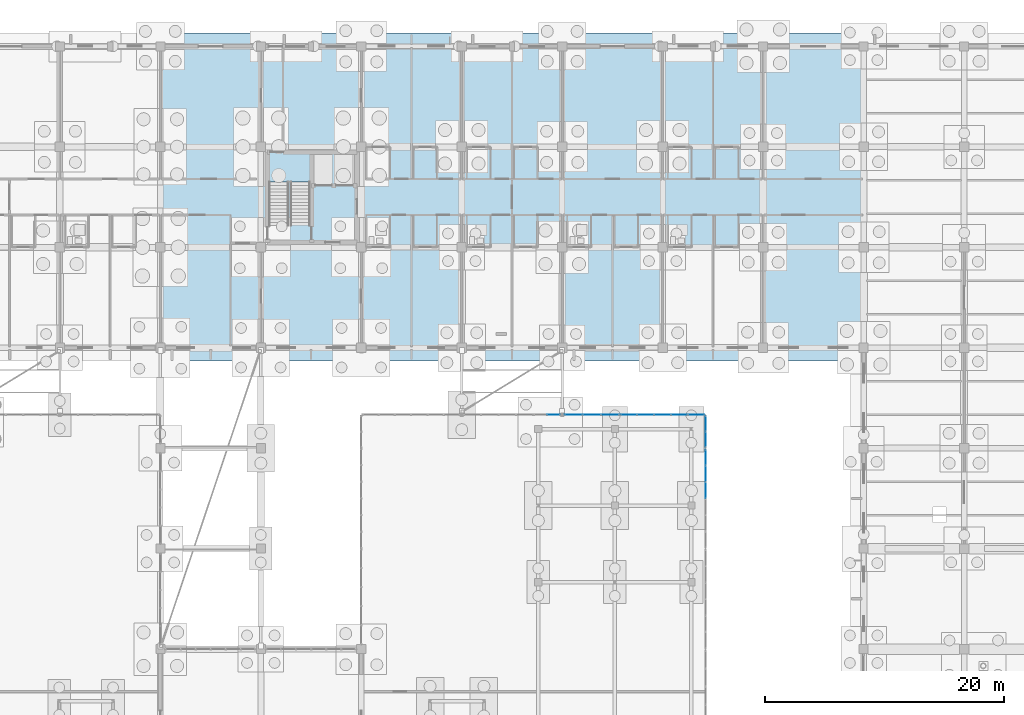
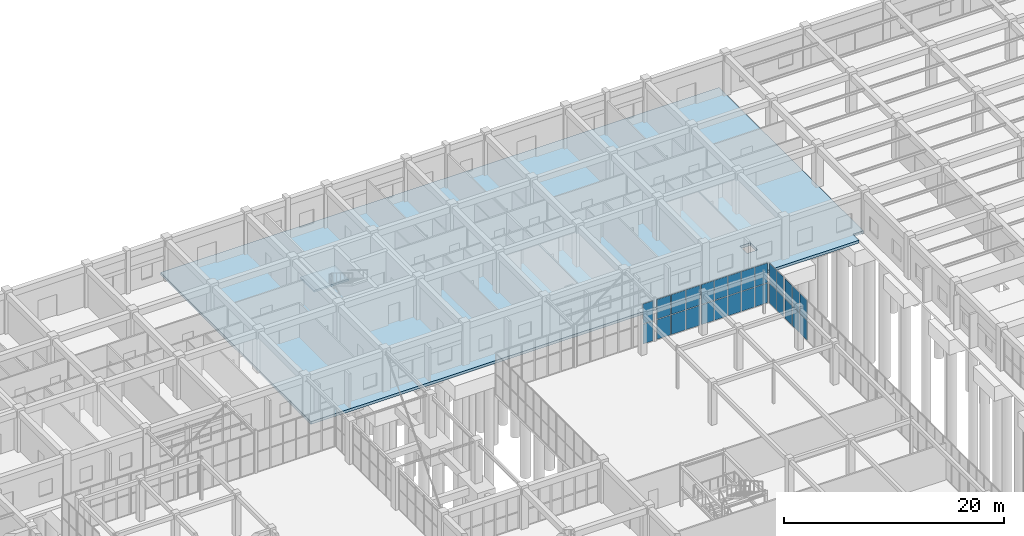
# One storey, part 143 of 192: 28 plates, 2 slabs, 6 elements without a shape of their own.
"""IFC4 building model written with IfcOpenShell, lengths in metres."""

from ifc_helpers import new_model, si_unit, direction, frame, origin, origin_2d, place, context, subcontext, project, spatial, polyline, rectangle, outline, extrude, material, layer, layer_set, type_object, element, aggregate, save


model = new_model("IFC4")

# Units and contexts
model_context = context("Model", 3, precision=1e-05, world=origin(), true_north=direction((0.0, 1.0)))
body_context = subcontext(model_context, "Body", "Model", "MODEL_VIEW")
ifc_project = project(units=[si_unit("LENGTHUNIT", "METRE"), si_unit("AREAUNIT", "SQUARE_METRE"), si_unit("VOLUMEUNIT", "CUBIC_METRE"), si_unit("PLANEANGLEUNIT", "RADIAN"), si_unit("MASSUNIT", "GRAM", prefix="KILO")], contexts=[model_context])

# Site, building, storey
site_placement = place(None, origin())
site = spatial("IfcSite", under=ifc_project, at=site_placement, CompositionType="ELEMENT")
building_placement = place(site_placement, origin())
building = spatial("IfcBuilding", under=site, at=building_placement, Name="Trelvath General Hospital", CompositionType="ELEMENT")
storey_placement = place(building_placement, origin())
storey = spatial("IfcBuildingStorey", under=building, at=storey_placement, Name="L00", CompositionType="ELEMENT", Elevation=0.0)

# Slab
ifc_material_1 = material(Name="Concrete C35/45", Category="concrete")
ifc_layer_1 = layer(ifc_material_1, 0.300048828125)
ifc_layer_set_1 = layer_set([ifc_layer_1], Name="Concrete C35/45")
slab_type_1 = type_object("IfcSlabType", Name="BaseSlab RC300", PredefinedType="BASESLAB", material=ifc_layer_set_1)
slab_1_placement = place(storey_placement, frame((0.0, 0.0, -0.300048828125)))
element("IfcSlab", 1, at=slab_1_placement, inside=storey, type_object=slab_type_1, Name="Floor Slab SL-L00-V5-N1", PredefinedType="BASESLAB", context=body_context, shape_type="SweptSolid", body=[
    extrude(outline(polyline([(133.280029296875, 91.300048828125), (75.6201171875, 91.300048828125), (75.6201171875, 118.699951171875), (134.3798828125, 118.699951171875), (134.3798828125, 92.39990234375), (133.280029296875, 92.39990234375), (133.280029296875, 91.300048828125)]), holes=[polyline([(123.39990234375, 94.60009765625), (124.5, 94.60009765625), (124.5, 95.89990234375), (123.39990234375, 95.89990234375), (123.39990234375, 94.60009765625)])]), origin(), (0.0, 0.0, 1.0), 0.300048828125),
])

# Curtain wall, plates
ifc_material_2 = material(Name="Anodised aluminium and low-E glass", Category="aluminium")
ifc_layer_2 = layer(ifc_material_2, 0.139892578125)
ifc_layer_set_2 = layer_set([ifc_layer_2], Name="Anodised aluminium and low-E glass")
curtain_wall_type_1 = type_object("IfcCurtainWallType", Name="CW CrystalCube 223 456 14", PredefinedType="USERDEFINED", material=ifc_layer_set_2)
curtain_wall_1_placement = place(storey_placement, origin())
curtain_wall_1 = element("IfcCurtainWall", 2, at=curtain_wall_1_placement, inside=storey, type_object=curtain_wall_type_1, Name="Crystal Cube Curtain Wall CUBE-E-T0 N3 L00", ObjectType="Unitised Glazed Curtain Wall", PredefinedType="USERDEFINED")
ifc_material_3 = material(Name="Low-E laminated glass", Category="glass")
ifc_layer_3 = layer(ifc_material_3, 0.028076171875)
ifc_layer_set_3 = layer_set([ifc_layer_3], Name="Low-E laminated glass")
plate_type = type_object("IfcPlateType", Name="CurtainPanel Glass28", PredefinedType="CURTAIN_PANEL", material=ifc_layer_set_3)
plate_1_placement = place(storey_placement, frame((108.4775390625, 86.800048828125, 0.06005859375), z_axis=(0.0, 0.0, 1.0), x_axis=(1.0, 0.0, 0.0)))
plate_1 = element("IfcPlate", 3, at=plate_1_placement, type_object=plate_type, Name="CW-113 panel 2.1", PredefinedType="CURTAIN_PANEL", context=body_context, shape_type="SweptSolid", body=[
    extrude(rectangle(XDim=1.02490234375, YDim=0.028076171875, at=origin_2d()), origin(), (0.0, 0.0, 1.0), 2.18994140625),
])
plate_2_placement = place(storey_placement, frame((108.4775390625, 86.800048828125, 2.31005859375), z_axis=(0.0, 0.0, 1.0), x_axis=(1.0, 0.0, 0.0)))
plate_2 = element("IfcPlate", 4, at=plate_2_placement, type_object=plate_type, Name="CW-113 panel 2.2", PredefinedType="CURTAIN_PANEL", context=body_context, shape_type="SweptSolid", body=[
    extrude(rectangle(XDim=1.02490234375, YDim=0.028076171875, at=origin_2d()), origin(), (0.0, 0.0, 1.0), 2.18994140625),
])
aggregate(curtain_wall_1, [plate_1, plate_2])

ifc_material_4 = material(Name="Anodised aluminium and low-E glass", Category="aluminium")
ifc_layer_4 = layer(ifc_material_4, 0.139892578125)
ifc_layer_set_4 = layer_set([ifc_layer_4], Name="Anodised aluminium and low-E glass")
curtain_wall_type_2 = type_object("IfcCurtainWallType", Name="CW CrystalCube 463 456 14", PredefinedType="USERDEFINED", material=ifc_layer_set_4)
curtain_wall_2_placement = place(storey_placement, origin())
curtain_wall_2 = element("IfcCurtainWall", 5, at=curtain_wall_2_placement, inside=storey, type_object=curtain_wall_type_2, Name="Crystal Cube Curtain Wall CUBE-E-T0 N4 L00", ObjectType="Unitised Glazed Curtain Wall", PredefinedType="USERDEFINED")
plate_3_placement = place(storey_placement, frame((110.13671875, 86.800048828125, 0.06005859375), z_axis=(0.0, 0.0, 1.0), x_axis=(1.0, 0.0, 0.0)))
plate_3 = element("IfcPlate", 6, at=plate_3_placement, type_object=plate_type, Name="CW-114 panel 1.1", PredefinedType="CURTAIN_PANEL", context=body_context, shape_type="SweptSolid", body=[
    extrude(rectangle(XDim=1.453369140625, YDim=0.028076171875, at=origin_2d()), origin(), (0.0, 0.0, 1.0), 2.18994140625),
])
plate_4_placement = place(storey_placement, frame((110.13671875, 86.800048828125, 2.31005859375), z_axis=(0.0, 0.0, 1.0), x_axis=(1.0, 0.0, 0.0)))
plate_4 = element("IfcPlate", 7, at=plate_4_placement, type_object=plate_type, Name="CW-114 panel 1.2", PredefinedType="CURTAIN_PANEL", context=body_context, shape_type="SweptSolid", body=[
    extrude(rectangle(XDim=1.453369140625, YDim=0.028076171875, at=origin_2d()), origin(), (0.0, 0.0, 1.0), 2.18994140625),
])
plate_5_placement = place(storey_placement, frame((111.6650390625, 86.800048828125, 0.06005859375), z_axis=(0.0, 0.0, 1.0), x_axis=(1.0, 0.0, 0.0)))
plate_5 = element("IfcPlate", 8, at=plate_5_placement, type_object=plate_type, Name="CW-114 panel 2.1", PredefinedType="CURTAIN_PANEL", context=body_context, shape_type="SweptSolid", body=[
    extrude(rectangle(XDim=1.4833984375, YDim=0.028076171875, at=origin_2d()), origin(), (0.0, 0.0, 1.0), 2.18994140625),
])
plate_6_placement = place(storey_placement, frame((111.6650390625, 86.800048828125, 2.31005859375), z_axis=(0.0, 0.0, 1.0), x_axis=(1.0, 0.0, 0.0)))
plate_6 = element("IfcPlate", 9, at=plate_6_placement, type_object=plate_type, Name="CW-114 panel 2.2", PredefinedType="CURTAIN_PANEL", context=body_context, shape_type="SweptSolid", body=[
    extrude(rectangle(XDim=1.4833984375, YDim=0.028076171875, at=origin_2d()), origin(), (0.0, 0.0, 1.0), 2.18994140625),
])
plate_7_placement = place(storey_placement, frame((113.193359375, 86.800048828125, 0.06005859375), z_axis=(0.0, 0.0, 1.0), x_axis=(1.0, 0.0, 0.0)))
plate_7 = element("IfcPlate", 10, at=plate_7_placement, type_object=plate_type, Name="CW-114 panel 3.1", PredefinedType="CURTAIN_PANEL", context=body_context, shape_type="SweptSolid", body=[
    extrude(rectangle(XDim=1.453369140625, YDim=0.028076171875, at=origin_2d()), origin(), (0.0, 0.0, 1.0), 2.18994140625),
])
plate_8_placement = place(storey_placement, frame((113.193359375, 86.800048828125, 2.31005859375), z_axis=(0.0, 0.0, 1.0), x_axis=(1.0, 0.0, 0.0)))
plate_8 = element("IfcPlate", 11, at=plate_8_placement, type_object=plate_type, Name="CW-114 panel 3.2", PredefinedType="CURTAIN_PANEL", context=body_context, shape_type="SweptSolid", body=[
    extrude(rectangle(XDim=1.453369140625, YDim=0.028076171875, at=origin_2d()), origin(), (0.0, 0.0, 1.0), 2.18994140625),
])
aggregate(curtain_wall_2, [plate_3, plate_4, plate_5, plate_6, plate_7, plate_8])

ifc_material_5 = material(Name="Anodised aluminium and low-E glass", Category="aluminium")
ifc_layer_5 = layer(ifc_material_5, 0.139892578125)
ifc_layer_set_5 = layer_set([ifc_layer_5], Name="Anodised aluminium and low-E glass")
curtain_wall_type_3 = type_object("IfcCurtainWallType", Name="CW CrystalCube 710 456 14", PredefinedType="USERDEFINED", material=ifc_layer_set_5)
curtain_wall_3_placement = place(storey_placement, origin())
curtain_wall_3 = element("IfcCurtainWall", 12, at=curtain_wall_3_placement, inside=storey, type_object=curtain_wall_type_3, Name="Crystal Cube Curtain Wall CUBE-E-T0 N5 L00", ObjectType="Unitised Glazed Curtain Wall", PredefinedType="USERDEFINED")
plate_9_placement = place(storey_placement, frame((114.7451171875, 86.800048828125, 0.06005859375), z_axis=(0.0, 0.0, 1.0), x_axis=(1.0, 0.0, 0.0)))
plate_9 = element("IfcPlate", 13, at=plate_9_placement, type_object=plate_type, Name="CW-115 panel 1.1", PredefinedType="CURTAIN_PANEL", context=body_context, shape_type="SweptSolid", body=[
    extrude(rectangle(XDim=1.330078125, YDim=0.028076171875, at=origin_2d()), origin(), (0.0, 0.0, 1.0), 2.18994140625),
])
plate_10_placement = place(storey_placement, frame((114.7451171875, 86.800048828125, 2.31005859375), z_axis=(0.0, 0.0, 1.0), x_axis=(1.0, 0.0, 0.0)))
plate_10 = element("IfcPlate", 14, at=plate_10_placement, type_object=plate_type, Name="CW-115 panel 1.2", PredefinedType="CURTAIN_PANEL", context=body_context, shape_type="SweptSolid", body=[
    extrude(rectangle(XDim=1.330078125, YDim=0.028076171875, at=origin_2d()), origin(), (0.0, 0.0, 1.0), 2.18994140625),
])
plate_11_placement = place(storey_placement, frame((116.14990234375, 86.800048828125, 0.06005859375), z_axis=(0.0, 0.0, 1.0), x_axis=(1.0, 0.0, 0.0)))
plate_11 = element("IfcPlate", 15, at=plate_11_placement, type_object=plate_type, Name="CW-115 panel 2.1", PredefinedType="CURTAIN_PANEL", context=body_context, shape_type="SweptSolid", body=[
    extrude(rectangle(XDim=1.360107421875, YDim=0.028076171875, at=origin_2d()), origin(), (0.0, 0.0, 1.0), 2.18994140625),
])
plate_12_placement = place(storey_placement, frame((116.14990234375, 86.800048828125, 2.31005859375), z_axis=(0.0, 0.0, 1.0), x_axis=(1.0, 0.0, 0.0)))
plate_12 = element("IfcPlate", 16, at=plate_12_placement, type_object=plate_type, Name="CW-115 panel 2.2", PredefinedType="CURTAIN_PANEL", context=body_context, shape_type="SweptSolid", body=[
    extrude(rectangle(XDim=1.360107421875, YDim=0.028076171875, at=origin_2d()), origin(), (0.0, 0.0, 1.0), 2.18994140625),
])
plate_13_placement = place(storey_placement, frame((117.570068359375, 86.800048828125, 0.06005859375), z_axis=(0.0, 0.0, 1.0), x_axis=(1.0, 0.0, 0.0)))
plate_13 = element("IfcPlate", 17, at=plate_13_placement, type_object=plate_type, Name="CW-115 panel 3.1", PredefinedType="CURTAIN_PANEL", context=body_context, shape_type="SweptSolid", body=[
    extrude(rectangle(XDim=1.360107421875, YDim=0.028076171875, at=origin_2d()), origin(), (0.0, 0.0, 1.0), 2.18994140625),
])
plate_14_placement = place(storey_placement, frame((117.570068359375, 86.800048828125, 2.31005859375), z_axis=(0.0, 0.0, 1.0), x_axis=(1.0, 0.0, 0.0)))
plate_14 = element("IfcPlate", 18, at=plate_14_placement, type_object=plate_type, Name="CW-115 panel 3.2", PredefinedType="CURTAIN_PANEL", context=body_context, shape_type="SweptSolid", body=[
    extrude(rectangle(XDim=1.360107421875, YDim=0.028076171875, at=origin_2d()), origin(), (0.0, 0.0, 1.0), 2.18994140625),
])
plate_15_placement = place(storey_placement, frame((118.989990234375, 86.800048828125, 0.06005859375), z_axis=(0.0, 0.0, 1.0), x_axis=(1.0, 0.0, 0.0)))
plate_15 = element("IfcPlate", 19, at=plate_15_placement, type_object=plate_type, Name="CW-115 panel 4.1", PredefinedType="CURTAIN_PANEL", context=body_context, shape_type="SweptSolid", body=[
    extrude(rectangle(XDim=1.360107421875, YDim=0.028076171875, at=origin_2d()), origin(), (0.0, 0.0, 1.0), 2.18994140625),
])
plate_16_placement = place(storey_placement, frame((118.989990234375, 86.800048828125, 2.31005859375), z_axis=(0.0, 0.0, 1.0), x_axis=(1.0, 0.0, 0.0)))
plate_16 = element("IfcPlate", 20, at=plate_16_placement, type_object=plate_type, Name="CW-115 panel 4.2", PredefinedType="CURTAIN_PANEL", context=body_context, shape_type="SweptSolid", body=[
    extrude(rectangle(XDim=1.360107421875, YDim=0.028076171875, at=origin_2d()), origin(), (0.0, 0.0, 1.0), 2.18994140625),
])
plate_17_placement = place(storey_placement, frame((120.39501953125, 86.800048828125, 0.06005859375), z_axis=(0.0, 0.0, 1.0), x_axis=(1.0, 0.0, 0.0)))
plate_17 = element("IfcPlate", 21, at=plate_17_placement, type_object=plate_type, Name="CW-115 panel 5.1", PredefinedType="CURTAIN_PANEL", context=body_context, shape_type="SweptSolid", body=[
    extrude(rectangle(XDim=1.330078125, YDim=0.028076171875, at=origin_2d()), origin(), (0.0, 0.0, 1.0), 2.18994140625),
])
plate_18_placement = place(storey_placement, frame((120.39501953125, 86.800048828125, 2.31005859375), z_axis=(0.0, 0.0, 1.0), x_axis=(1.0, 0.0, 0.0)))
plate_18 = element("IfcPlate", 22, at=plate_18_placement, type_object=plate_type, Name="CW-115 panel 5.2", PredefinedType="CURTAIN_PANEL", context=body_context, shape_type="SweptSolid", body=[
    extrude(rectangle(XDim=1.330078125, YDim=0.028076171875, at=origin_2d()), origin(), (0.0, 0.0, 1.0), 2.18994140625),
])
aggregate(curtain_wall_3, [plate_9, plate_10, plate_11, plate_12, plate_13, plate_14, plate_15, plate_16, plate_17, plate_18])

ifc_material_6 = material(Name="Anodised aluminium and low-E glass", Category="aluminium")
ifc_layer_6 = layer(ifc_material_6, 0.139892578125)
ifc_layer_set_6 = layer_set([ifc_layer_6], Name="Anodised aluminium and low-E glass")
curtain_wall_type_4 = type_object("IfcCurtainWallType", Name="CW CrystalCube 824 456 14", PredefinedType="USERDEFINED", material=ifc_layer_set_6)
curtain_wall_4_placement = place(storey_placement, origin())
curtain_wall_4 = element("IfcCurtainWall", 23, at=curtain_wall_4_placement, inside=storey, type_object=curtain_wall_type_4, Name="Crystal Cube Curtain Wall CUBE-E-T0 E6 L00", ObjectType="Unitised Glazed Curtain Wall", PredefinedType="USERDEFINED")
plate_19_placement = place(storey_placement, frame((121.199951171875, 83.21826171875, 0.06005859375), z_axis=(0.0, 0.0, 1.0), x_axis=(0.0, -1.0, 0.0)))
plate_19 = element("IfcPlate", 24, at=plate_19_placement, type_object=plate_type, Name="CW-124 panel 1.1", PredefinedType="CURTAIN_PANEL", context=body_context, shape_type="SweptSolid", body=[
    extrude(rectangle(XDim=1.283447265625, YDim=0.028076171875, at=origin_2d()), origin(), (0.0, 0.0, 1.0), 2.18994140625),
])
plate_20_placement = place(storey_placement, frame((121.199951171875, 83.21826171875, 2.31005859375), z_axis=(0.0, 0.0, 1.0), x_axis=(0.0, -1.0, 0.0)))
plate_20 = element("IfcPlate", 25, at=plate_20_placement, type_object=plate_type, Name="CW-124 panel 1.2", PredefinedType="CURTAIN_PANEL", context=body_context, shape_type="SweptSolid", body=[
    extrude(rectangle(XDim=1.283447265625, YDim=0.028076171875, at=origin_2d()), origin(), (0.0, 0.0, 1.0), 2.18994140625),
])
plate_21_placement = place(storey_placement, frame((121.199951171875, 81.860107421875, 0.06005859375), z_axis=(0.0, 0.0, 1.0), x_axis=(0.0, -1.0, 0.0)))
plate_21 = element("IfcPlate", 26, at=plate_21_placement, type_object=plate_type, Name="CW-124 panel 2.1", PredefinedType="CURTAIN_PANEL", context=body_context, shape_type="SweptSolid", body=[
    extrude(rectangle(XDim=1.313232421875, YDim=0.028076171875, at=origin_2d()), origin(), (0.0, 0.0, 1.0), 2.18994140625),
])
plate_22_placement = place(storey_placement, frame((121.199951171875, 81.860107421875, 2.31005859375), z_axis=(0.0, 0.0, 1.0), x_axis=(0.0, -1.0, 0.0)))
plate_22 = element("IfcPlate", 27, at=plate_22_placement, type_object=plate_type, Name="CW-124 panel 2.2", PredefinedType="CURTAIN_PANEL", context=body_context, shape_type="SweptSolid", body=[
    extrude(rectangle(XDim=1.313232421875, YDim=0.028076171875, at=origin_2d()), origin(), (0.0, 0.0, 1.0), 2.18994140625),
])
plate_23_placement = place(storey_placement, frame((121.199951171875, 80.486572265625, 0.06005859375), z_axis=(0.0, 0.0, 1.0), x_axis=(0.0, -1.0, 0.0)))
plate_23 = element("IfcPlate", 28, at=plate_23_placement, type_object=plate_type, Name="CW-124 panel 3.1", PredefinedType="CURTAIN_PANEL", context=body_context, shape_type="SweptSolid", body=[
    extrude(rectangle(XDim=1.313232421875, YDim=0.028076171875, at=origin_2d()), origin(), (0.0, 0.0, 1.0), 2.18994140625),
])
plate_24_placement = place(storey_placement, frame((121.199951171875, 80.486572265625, 2.31005859375), z_axis=(0.0, 0.0, 1.0), x_axis=(0.0, -1.0, 0.0)))
plate_24 = element("IfcPlate", 29, at=plate_24_placement, type_object=plate_type, Name="CW-124 panel 3.2", PredefinedType="CURTAIN_PANEL", context=body_context, shape_type="SweptSolid", body=[
    extrude(rectangle(XDim=1.313232421875, YDim=0.028076171875, at=origin_2d()), origin(), (0.0, 0.0, 1.0), 2.18994140625),
])
aggregate(curtain_wall_4, [plate_19, plate_20, plate_21, plate_22, plate_23, plate_24])

ifc_material_7 = material(Name="Anodised aluminium and low-E glass", Category="aluminium")
ifc_layer_7 = layer(ifc_material_7, 0.139892578125)
ifc_layer_set_7 = layer_set([ifc_layer_7], Name="Anodised aluminium and low-E glass")
curtain_wall_type_5 = type_object("IfcCurtainWallType", Name="CW CrystalCube 264 456 14", PredefinedType="USERDEFINED", material=ifc_layer_set_7)
curtain_wall_5_placement = place(storey_placement, origin())
curtain_wall_5 = element("IfcCurtainWall", 30, at=curtain_wall_5_placement, inside=storey, type_object=curtain_wall_type_5, Name="Crystal Cube Curtain Wall CUBE-E-T0 E7 L00", ObjectType="Unitised Glazed Curtain Wall", PredefinedType="USERDEFINED")
plate_25_placement = place(storey_placement, frame((121.199951171875, 86.044921875, 0.06005859375), z_axis=(0.0, 0.0, 1.0), x_axis=(0.0, -1.0, 0.0)))
plate_25 = element("IfcPlate", 31, at=plate_25_placement, type_object=plate_type, Name="CW-126 panel 1.1", PredefinedType="CURTAIN_PANEL", context=body_context, shape_type="SweptSolid", body=[
    extrude(rectangle(XDim=1.22998046875, YDim=0.028076171875, at=origin_2d()), origin(), (0.0, 0.0, 1.0), 2.18994140625),
])
plate_26_placement = place(storey_placement, frame((121.199951171875, 86.044921875, 2.31005859375), z_axis=(0.0, 0.0, 1.0), x_axis=(0.0, -1.0, 0.0)))
plate_26 = element("IfcPlate", 32, at=plate_26_placement, type_object=plate_type, Name="CW-126 panel 1.2", PredefinedType="CURTAIN_PANEL", context=body_context, shape_type="SweptSolid", body=[
    extrude(rectangle(XDim=1.22998046875, YDim=0.028076171875, at=origin_2d()), origin(), (0.0, 0.0, 1.0), 2.18994140625),
])
plate_27_placement = place(storey_placement, frame((121.199951171875, 84.7548828125, 0.06005859375), z_axis=(0.0, 0.0, 1.0), x_axis=(0.0, -1.0, 0.0)))
plate_27 = element("IfcPlate", 33, at=plate_27_placement, type_object=plate_type, Name="CW-126 panel 2.1", PredefinedType="CURTAIN_PANEL", context=body_context, shape_type="SweptSolid", body=[
    extrude(rectangle(XDim=1.22998046875, YDim=0.028076171875, at=origin_2d()), origin(), (0.0, 0.0, 1.0), 2.18994140625),
])
plate_28_placement = place(storey_placement, frame((121.199951171875, 84.7548828125, 2.31005859375), z_axis=(0.0, 0.0, 1.0), x_axis=(0.0, -1.0, 0.0)))
plate_28 = element("IfcPlate", 34, at=plate_28_placement, type_object=plate_type, Name="CW-126 panel 2.2", PredefinedType="CURTAIN_PANEL", context=body_context, shape_type="SweptSolid", body=[
    extrude(rectangle(XDim=1.22998046875, YDim=0.028076171875, at=origin_2d()), origin(), (0.0, 0.0, 1.0), 2.18994140625),
])
aggregate(curtain_wall_5, [plate_25, plate_26, plate_27, plate_28])

# Stair, slab
ifc_material_8 = material(Name="Concrete C35/45", Category="concrete")
stair_type = type_object("IfcStairType", Name="Stair Stretcher480", PredefinedType="TWO_STRAIGHT_RUN_STAIR", material=ifc_material_8)
stair_placement = place(storey_placement, origin())
stair = element("IfcStair", 35, at=stair_placement, inside=storey, type_object=stair_type, Name="Exit Stair ST2 L00", PredefinedType="TWO_STRAIGHT_RUN_STAIR")
ifc_material_9 = material(Name="Concrete C35/45", Category="concrete")
ifc_layer_8 = layer(ifc_material_9, 0.199951171875)
ifc_layer_set_8 = layer_set([ifc_layer_8], Name="Concrete C35/45")
slab_type_2 = type_object("IfcSlabType", Name="StairLanding 200", PredefinedType="LANDING", material=ifc_layer_set_8)
slab_2_placement = place(storey_placement, frame((0.0, 0.0, 2.199951171875)))
slab_2 = element("IfcSlab", 36, at=slab_2_placement, type_object=slab_type_2, Name="ST2-L00 landing 1", PredefinedType="LANDING", context=body_context, shape_type="SweptSolid", body=[
    extrude(outline(polyline([(84.56005859375, 106.239990234375), (88.239990234375, 106.239990234375), (88.239990234375, 108.739990234375), (84.56005859375, 108.739990234375), (84.56005859375, 106.239990234375)])), origin(), (0.0, 0.0, 1.0), 0.199951171875),
])
aggregate(stair, [slab_2])

save(model, "model.ifc")
